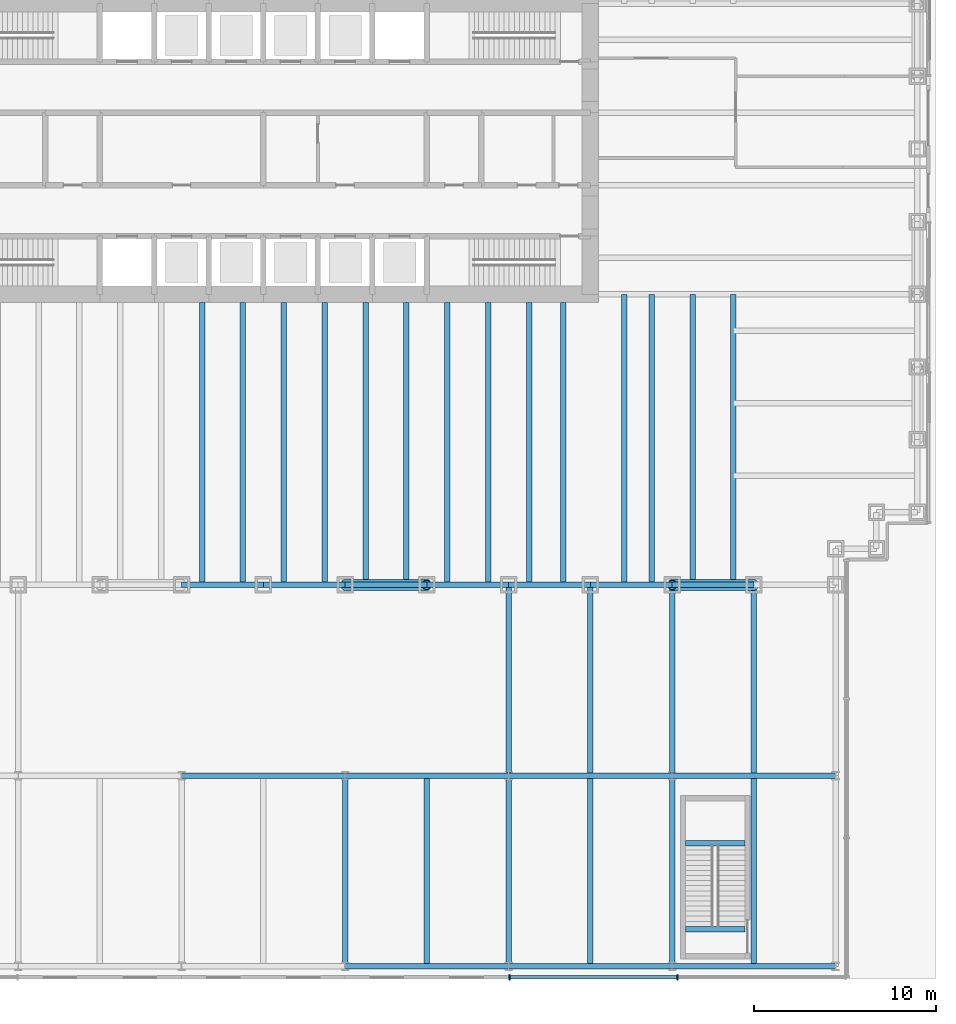
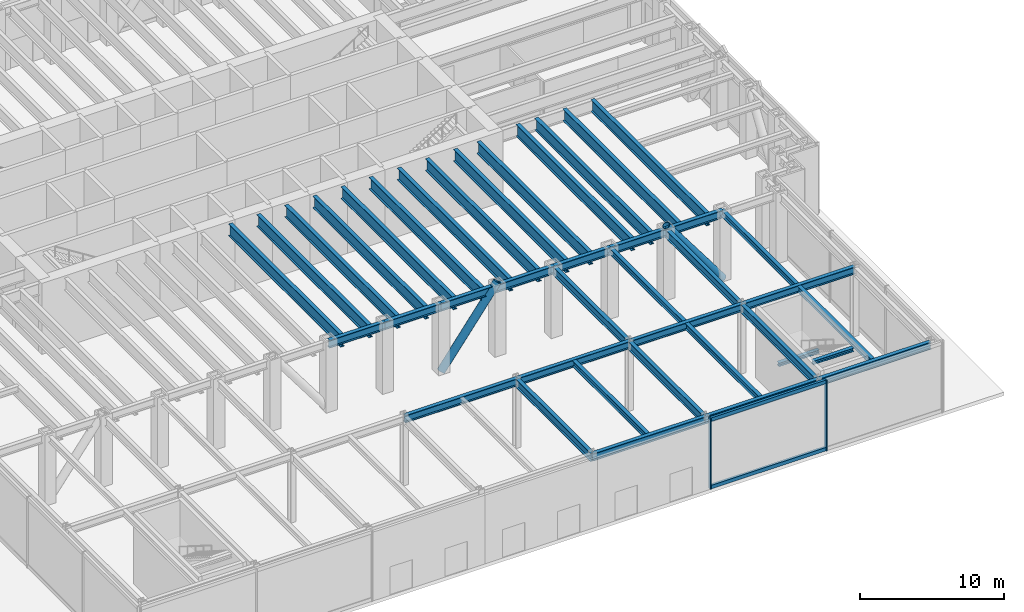
# One storey, part 3 of 17: 40 beams, 6 members, 1 element without a shape of its own.
"""IFC4 building model written with IfcOpenShell, lengths in metres."""

from ifc_helpers import new_model, si_unit, direction, frame, origin, origin_2d, place, context, subcontext, project, spatial, rectangle, hollow_circle, i_section, extrude, material, material_profile, profile_set, type_object, element, aggregate, save


model = new_model("IFC4")

# Units and contexts
model_context = context("Model", 3, precision=1e-05, world=origin(), true_north=direction((0.0, 1.0)))
body_context = subcontext(model_context, "Body", "Model", "MODEL_VIEW")
ifc_project = project(units=[si_unit("LENGTHUNIT", "METRE"), si_unit("AREAUNIT", "SQUARE_METRE"), si_unit("VOLUMEUNIT", "CUBIC_METRE"), si_unit("PLANEANGLEUNIT", "RADIAN"), si_unit("MASSUNIT", "GRAM", prefix="KILO")], contexts=[model_context])

# Site, building, storey
site_placement = place(None, origin())
site = spatial("IfcSite", under=ifc_project, at=site_placement, CompositionType="ELEMENT")
building_placement = place(site_placement, origin())
building = spatial("IfcBuilding", under=site, at=building_placement, Name="Rheinbord Bourse Tower", CompositionType="ELEMENT")
storey_placement = place(building_placement, origin())
storey = spatial("IfcBuildingStorey", under=building, at=storey_placement, Name="L00", CompositionType="ELEMENT", Elevation=0.0)

# Curtain wall, members
ifc_material_1 = material(Name="Dark glass and black aluminium", Category="aluminium")
curtain_wall_type = type_object("IfcCurtainWallType", Name="CW4 DARK GLASS CURTAIN WALL", PredefinedType="USERDEFINED", material=ifc_material_1)
curtain_wall_placement = place(storey_placement, origin())
curtain_wall = element("IfcCurtainWall", 1, at=curtain_wall_placement, inside=storey, type_object=curtain_wall_type, Name="Curtain wall CW4 S L00", ObjectType="UNITISED CURTAIN WALL", PredefinedType="USERDEFINED")
ifc_material_2 = material(Name="Black anodised aluminium", Category="aluminium")
ifc_material_profile_1 = material_profile(ifc_material_2, rectangle(XDim=0.300048828125, YDim=0.090087890625, at=origin_2d()), Name="CW4 MULLION 90x300")
ifc_profile_set_1 = profile_set([ifc_material_profile_1], Name="Black anodised aluminium")
member_type_1 = type_object("IfcMemberType", Name="CW4 BLACK MULLION", PredefinedType="MULLION", material=ifc_profile_set_1)
member_1_placement = place(storey_placement, frame((49.544921875, -21.60009765625, 0.0), z_axis=(0.0, 0.0, 1.0), x_axis=(0.0, 1.0, 0.0)))
member_1 = element("IfcMember", 2, at=member_1_placement, type_object=member_type_1, Name="CW4 mullion 1", PredefinedType="MULLION", context=body_context, shape_type="SweptSolid", body=[
    extrude(rectangle(XDim=0.300048828125, YDim=0.090087890625, at=origin_2d()), origin(), (0.0, 0.0, 1.0), 6.0),
])
member_2_placement = place(storey_placement, frame((58.800048828125, -21.60009765625, 0.0), z_axis=(0.0, 0.0, 1.0), x_axis=(0.0, 1.0, 0.0)))
member_2 = element("IfcMember", 3, at=member_2_placement, type_object=member_type_1, Name="CW4 mullion 2", PredefinedType="MULLION", context=body_context, shape_type="SweptSolid", body=[
    extrude(rectangle(XDim=0.300048828125, YDim=0.090087890625, at=origin_2d()), origin(), (0.0, 0.0, 1.0), 6.0),
])
ifc_material_3 = material(Name="Black anodised aluminium", Category="aluminium")
ifc_material_profile_2 = material_profile(ifc_material_3, rectangle(XDim=0.199951171875, YDim=0.300048828125, at=origin_2d()), Name="CW4 TRANSOM 300x200")
ifc_profile_set_2 = profile_set([ifc_material_profile_2], Name="Black anodised aluminium")
member_type_2 = type_object("IfcMemberType", Name="CW4 BLACK TRANSOM", PredefinedType="USERDEFINED", material=ifc_profile_set_2)
member_3_placement = place(storey_placement, frame((49.590087890625, -21.60009765625, 0.14990234375), z_axis=(1.0, 0.0, 0.0), x_axis=(0.0, 1.0, 0.0)))
member_3 = element("IfcMember", 4, at=member_3_placement, type_object=member_type_2, Name="CW4 transom 1.1", ObjectType="TRANSOM", PredefinedType="USERDEFINED", context=body_context, shape_type="SweptSolid", body=[
    extrude(rectangle(XDim=0.199951171875, YDim=0.300048828125, at=origin_2d()), origin(), (0.0, 0.0, 1.0), 9.164794921875),
])
member_4_placement = place(storey_placement, frame((49.590087890625, -21.60009765625, 5.85009765625), z_axis=(1.0, 0.0, 0.0), x_axis=(0.0, 1.0, 0.0)))
member_4 = element("IfcMember", 5, at=member_4_placement, type_object=member_type_2, Name="CW4 transom 1.2", ObjectType="TRANSOM", PredefinedType="USERDEFINED", context=body_context, shape_type="SweptSolid", body=[
    extrude(rectangle(XDim=0.199951171875, YDim=0.300048828125, at=origin_2d()), origin(), (0.0, 0.0, 1.0), 9.164794921875),
])
aggregate(curtain_wall, [member_1, member_2, member_3, member_4])

# Beams
ifc_material_4 = material(Name="Steel S460", Category="steel")
ifc_material_profile_3 = material_profile(ifc_material_4, i_section(OverallWidth=0.302001953125, OverallDepth=1.008056640625, WebThickness=0.02099609375, FlangeThickness=0.0400390625, at=origin_2d()), Name="HEM 1000")
ifc_profile_set_3 = profile_set([ifc_material_profile_3], Name="Steel S460")
beam_type_1 = type_object("IfcBeamType", Name="FLOOR BEAM HEM 1000", PredefinedType="BEAM", material=ifc_profile_set_3)
for number, where, z_axis, x_axis, name in (
    (6, (32.625, 0.0, 5.31591796875), (0.0, 1.0, 0.0), (-1.0, 0.0, 0.0), "Floor beam S-31.5a L01"),
    (7, (34.875, 0.0, 5.31591796875), (0.0, 1.0, 0.0), (-1.0, 0.0, 0.0), "Floor beam S-31.5b L01"),
    (8, (37.125, 0.0, 5.31591796875), (0.0, 1.0, 0.0), (-1.0, 0.0, 0.0), "Floor beam S-36a L01"),
    (9, (39.375, 0.0, 5.31591796875), (0.0, 1.0, 0.0), (-1.0, 0.0, 0.0), "Floor beam S-36b L01"),
    (10, (41.625, 0.0, 5.31591796875), (0.0, 1.0, 0.0), (-1.0, 0.0, 0.0), "Floor beam S-40.5a L01"),
    (11, (43.875, 0.0, 5.31591796875), (0.0, 1.0, 0.0), (-1.0, 0.0, 0.0), "Floor beam S-40.5b L01"),
    (12, (46.125, 0.0, 5.31591796875), (0.0, 1.0, 0.0), (-1.0, 0.0, 0.0), "Floor beam S-45a L01"),
    (13, (48.375, 0.0, 5.31591796875), (0.0, 1.0, 0.0), (-1.0, 0.0, 0.0), "Floor beam S-45b L01"),
    (14, (50.625, 0.0, 5.31591796875), (0.0, 1.0, 0.0), (-1.0, 0.0, 0.0), "Floor beam S-49.5a L01"),
    (15, (52.5, 0.0, 5.31591796875), (0.0, 1.0, 0.0), (-1.0, 0.0, 0.0), "Floor beam S-49.5b L01"),
):
    element("IfcBeam", number, at=place(storey_placement, frame(where, z_axis=z_axis, x_axis=x_axis)), inside=storey, type_object=beam_type_1, Name=name, PredefinedType="BEAM", context=body_context, shape_type="SweptSolid", body=[
        extrude(i_section(OverallWidth=0.302001953125, OverallDepth=1.008056640625, WebThickness=0.02099609375, FlangeThickness=0.0400390625, at=origin_2d()), origin(), (0.0, 0.0, 1.0), 15.550048828125),
    ])
for number, where, z_axis, x_axis, name in (
    (16, (55.875, 0.0, 5.31591796875), (0.0, 1.0, 0.0), (-1.0, 0.0, 0.0), "Floor beam S-54a L01"),
    (17, (57.375, 0.0, 5.31591796875), (0.0, 1.0, 0.0), (-1.0, 0.0, 0.0), "Floor beam S-54b L01"),
    (18, (59.625, 0.0, 5.31591796875), (0.0, 1.0, 0.0), (-1.0, 0.0, 0.0), "Floor beam S-58.5a L01"),
    (19, (61.875, 0.0, 5.31591796875), (0.0, 1.0, 0.0), (-1.0, 0.0, 0.0), "Floor beam S-58.5b L01"),
):
    element("IfcBeam", number, at=place(storey_placement, frame(where, z_axis=z_axis, x_axis=x_axis)), inside=storey, type_object=beam_type_1, Name=name, PredefinedType="BEAM", context=body_context, shape_type="SweptSolid", body=[
        extrude(i_section(OverallWidth=0.302001953125, OverallDepth=1.008056640625, WebThickness=0.02099609375, FlangeThickness=0.0400390625, at=origin_2d()), origin(), (0.0, 0.0, 1.0), 16.0),
    ])
ifc_material_5 = material(Name="Steel S460", Category="steel")
ifc_material_profile_4 = material_profile(ifc_material_5, i_section(OverallWidth=0.300048828125, OverallDepth=0.300048828125, WebThickness=0.010986328125, FlangeThickness=0.01904296875, at=origin_2d()), Name="HEB 300")
ifc_profile_set_4 = profile_set([ifc_material_profile_4], Name="Steel S460")
beam_type_2 = type_object("IfcBeamType", Name="LANDING TRIMMER HEB 300", PredefinedType="BEAM", material=ifc_profile_set_4)
for number, where, z_axis, x_axis, name in (
    (20, (59.25, -14.219970703125, 2.64990234375), (1.0, 0.0, 0.0), (0.0, 1.0, 0.0), "Landing trimmer ST6 L00"),
    (21, (59.25, -18.949951171875, 5.669921875), (1.0, 0.0, 0.0), (0.0, 1.0, 0.0), "Well trimmer ST6 under L01"),
):
    element("IfcBeam", number, at=place(storey_placement, frame(where, z_axis=z_axis, x_axis=x_axis)), inside=storey, type_object=beam_type_2, Name=name, PredefinedType="BEAM", context=body_context, shape_type="SweptSolid", body=[
        extrude(i_section(OverallWidth=0.300048828125, OverallDepth=0.300048828125, WebThickness=0.010986328125, FlangeThickness=0.01904296875, at=origin_2d()), origin(), (0.0, 0.0, 1.0), 3.25),
    ])

# Members
ifc_material_6 = material(Name="Steel S460", Category="steel")
ifc_material_profile_5 = material_profile(ifc_material_6, hollow_circle(Radius=0.304931640625, WallThickness=0.050048828125, at=origin_2d()), Name="CHS 610x50")
ifc_profile_set_5 = profile_set([ifc_material_profile_5], Name="Steel S460")
member_type_3 = type_object("IfcMemberType", Name="MEGABRACE CHS 610x50", PredefinedType="BRACE", material=ifc_profile_set_5)
for number, where, z_axis, x_axis, name in (
    (22, (63.0, 0.0, 0.0), (-0.6, 0.0, 0.8), (0.0, -1.0, 0.0), "Megabrace S face line b L00"),
    (23, (40.5, 0.0, 0.0), (0.6, 0.0, 0.8), (0.0, 1.0, 0.0), "Megabrace S face line c L00"),
):
    element("IfcMember", number, at=place(storey_placement, frame(where, z_axis=z_axis, x_axis=x_axis)), inside=storey, type_object=member_type_3, Name=name, PredefinedType="BRACE", context=body_context, shape_type="SweptSolid", body=[
        extrude(hollow_circle(Radius=0.304931640625, WallThickness=0.050048828125, at=origin_2d()), origin(), (0.0, 0.0, 1.0), 7.5),
    ])

# Beams
ifc_material_7 = material(Name="Steel S460", Category="steel")
ifc_material_profile_6 = material_profile(ifc_material_7, i_section(OverallWidth=0.304931640625, OverallDepth=0.6201171875, WebThickness=0.02099609375, FlangeThickness=0.0400390625, at=origin_2d()), Name="HEM 600")
ifc_profile_set_6 = profile_set([ifc_material_profile_6], Name="Steel S460")
beam_type_3 = type_object("IfcBeamType", Name="PODIUM EDGE BEAM HEM 600", PredefinedType="BEAM", material=ifc_profile_set_6)
for number, where, z_axis, x_axis, name in (
    (24, (31.5, -10.5, 5.510009765625), (1.0, 0.0, 0.0), (0.0, 1.0, 0.0), "Podium edge beam 31.5-40.5 L01"),
    (25, (40.5, -21.0, 5.510009765625), (1.0, 0.0, 0.0), (0.0, 1.0, 0.0), "Podium edge beam 40.5-49.5 L01"),
    (26, (40.5, -10.5, 5.510009765625), (1.0, 0.0, 0.0), (0.0, 1.0, 0.0), "Podium edge beam 40.5-49.5 L01"),
    (27, (49.5, -21.0, 5.510009765625), (1.0, 0.0, 0.0), (0.0, 1.0, 0.0), "Podium edge beam 49.5-58.5 L01"),
    (28, (49.5, -10.5, 5.510009765625), (1.0, 0.0, 0.0), (0.0, 1.0, 0.0), "Podium edge beam 49.5-58.5 L01"),
    (29, (58.5, -21.0, 5.510009765625), (1.0, 0.0, 0.0), (0.0, 1.0, 0.0), "Podium edge beam 58.5-67.5 L01"),
    (30, (58.5, -10.5, 5.510009765625), (1.0, 0.0, 0.0), (0.0, 1.0, 0.0), "Podium edge beam 58.5-67.5 L01"),
):
    element("IfcBeam", number, at=place(storey_placement, frame(where, z_axis=z_axis, x_axis=x_axis)), inside=storey, type_object=beam_type_3, Name=name, PredefinedType="BEAM", context=body_context, shape_type="SweptSolid", body=[
        extrude(i_section(OverallWidth=0.304931640625, OverallDepth=0.6201171875, WebThickness=0.02099609375, FlangeThickness=0.0400390625, at=origin_2d()), origin(), (0.0, 0.0, 1.0), 9.0),
    ])
ifc_material_8 = material(Name="Steel S460", Category="steel")
ifc_material_profile_7 = material_profile(ifc_material_8, i_section(OverallWidth=0.303955078125, OverallDepth=0.716064453125, WebThickness=0.02099609375, FlangeThickness=0.0400390625, at=origin_2d()), Name="HEM 700")
ifc_profile_set_7 = profile_set([ifc_material_profile_7], Name="Steel S460")
beam_type_4 = type_object("IfcBeamType", Name="PODIUM GIRDER HEM 700", PredefinedType="BEAM", material=ifc_profile_set_7)
for number, where, z_axis, x_axis, name in (
    (31, (40.5, -21.0, 5.4619140625), (0.0, 1.0, 0.0), (-1.0, 0.0, 0.0), "Podium girder 40.5 L01"),
    (32, (49.5, -21.0, 5.4619140625), (0.0, 1.0, 0.0), (-1.0, 0.0, 0.0), "Podium girder 49.5 L01"),
    (33, (49.5, -10.5, 5.4619140625), (0.0, 1.0, 0.0), (-1.0, 0.0, 0.0), "Podium girder 49.5 L01"),
    (34, (58.5, -21.0, 5.4619140625), (0.0, 1.0, 0.0), (-1.0, 0.0, 0.0), "Podium girder 58.5 L01"),
    (35, (58.5, -10.5, 5.4619140625), (0.0, 1.0, 0.0), (-1.0, 0.0, 0.0), "Podium girder 58.5 L01"),
):
    element("IfcBeam", number, at=place(storey_placement, frame(where, z_axis=z_axis, x_axis=x_axis)), inside=storey, type_object=beam_type_4, Name=name, PredefinedType="BEAM", context=body_context, shape_type="SweptSolid", body=[
        extrude(i_section(OverallWidth=0.303955078125, OverallDepth=0.716064453125, WebThickness=0.02099609375, FlangeThickness=0.0400390625, at=origin_2d()), origin(), (0.0, 0.0, 1.0), 10.5),
    ])
ifc_material_9 = material(Name="Steel S460", Category="steel")
ifc_material_profile_8 = material_profile(ifc_material_9, i_section(OverallWidth=0.300048828125, OverallDepth=0.5, WebThickness=0.014404296875, FlangeThickness=0.028076171875, at=origin_2d()), Name="HEB 500")
ifc_profile_set_8 = profile_set([ifc_material_profile_8], Name="Steel S460")
beam_type_5 = type_object("IfcBeamType", Name="PODIUM JOIST HEB 500", PredefinedType="JOIST", material=ifc_profile_set_8)
for number, where, z_axis, x_axis, name in (
    (36, (45.0, -21.0, 5.570068359375), (0.0, 1.0, 0.0), (-1.0, 0.0, 0.0), "Podium joist 45 L01"),
    (37, (54.0, -21.0, 5.570068359375), (0.0, 1.0, 0.0), (-1.0, 0.0, 0.0), "Podium joist 54 L01"),
    (38, (54.0, -10.347412109375, 5.570068359375), (0.0, 1.0, 0.0), (-1.0, 0.0, 0.0), "Podium joist 54 L01"),
    (39, (63.0, -21.0, 5.570068359375), (0.0, 1.0, 0.0), (-1.0, 0.0, 0.0), "Podium joist 63 L01"),
    (40, (63.0, -10.347412109375, 5.570068359375), (0.0, 1.0, 0.0), (-1.0, 0.0, 0.0), "Podium joist 63 L01"),
):
    element("IfcBeam", number, at=place(storey_placement, frame(where, z_axis=z_axis, x_axis=x_axis)), inside=storey, type_object=beam_type_5, Name=name, PredefinedType="JOIST", context=body_context, shape_type="SweptSolid", body=[
        extrude(i_section(OverallWidth=0.300048828125, OverallDepth=0.5, WebThickness=0.014404296875, FlangeThickness=0.028076171875, at=origin_2d()), origin(), (0.0, 0.0, 1.0), 10.347412109375),
    ])
ifc_material_10 = material(Name="Steel S460", Category="steel")
ifc_material_profile_9 = material_profile(ifc_material_10, i_section(OverallWidth=0.304931640625, OverallDepth=0.66796875, WebThickness=0.02099609375, FlangeThickness=0.0400390625, at=origin_2d()), Name="HEM 650")
ifc_profile_set_9 = profile_set([ifc_material_profile_9], Name="Steel S460")
beam_type_6 = type_object("IfcBeamType", Name="SPANDREL HEM 650", PredefinedType="SPANDREL", material=ifc_profile_set_9)
for number, where, z_axis, x_axis, name in (
    (41, (31.5, 0.0, 5.486083984375), (1.0, 0.0, 0.0), (0.0, 1.0, 0.0), "Spandrel S-31.5-S-36 under L01"),
    (42, (36.0, 0.0, 5.486083984375), (1.0, 0.0, 0.0), (0.0, 1.0, 0.0), "Spandrel S-36-S-40.5 under L01"),
    (43, (40.5, 0.0, 5.486083984375), (1.0, 0.0, 0.0), (0.0, 1.0, 0.0), "Spandrel S-40.5-S-45 under L01"),
    (44, (45.0, 0.0, 5.486083984375), (1.0, 0.0, 0.0), (0.0, 1.0, 0.0), "Spandrel S-45-S-49.5 under L01"),
    (45, (49.5, 0.0, 5.486083984375), (1.0, 0.0, 0.0), (0.0, 1.0, 0.0), "Spandrel S-49.5-S-54 under L01"),
    (46, (54.0, 0.0, 5.486083984375), (1.0, 0.0, 0.0), (0.0, 1.0, 0.0), "Spandrel S-54-S-58.5 under L01"),
    (47, (58.5, 0.0, 5.486083984375), (1.0, 0.0, 0.0), (0.0, 1.0, 0.0), "Spandrel S-58.5-S-63 under L01"),
):
    element("IfcBeam", number, at=place(storey_placement, frame(where, z_axis=z_axis, x_axis=x_axis)), inside=storey, type_object=beam_type_6, Name=name, PredefinedType="SPANDREL", context=body_context, shape_type="SweptSolid", body=[
        extrude(i_section(OverallWidth=0.304931640625, OverallDepth=0.66796875, WebThickness=0.02099609375, FlangeThickness=0.0400390625, at=origin_2d()), origin(), (0.0, 0.0, 1.0), 4.5),
    ])

save(model, "model.ifc")
